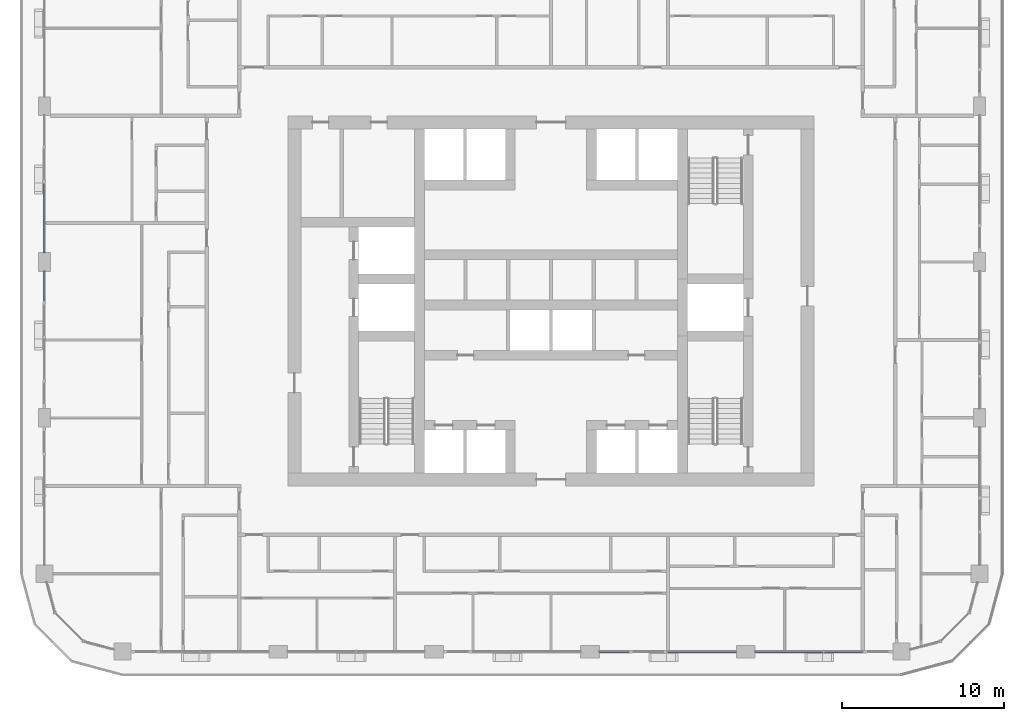
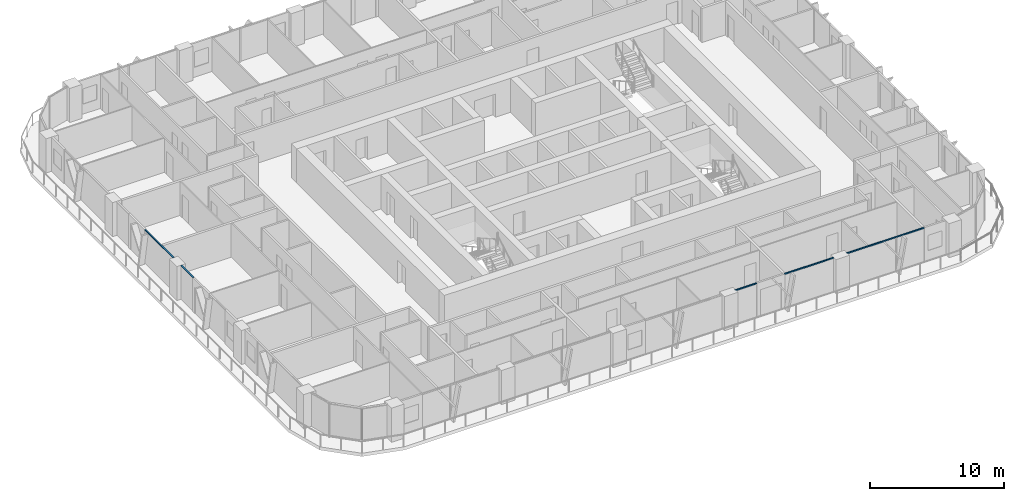
# One storey, part 3 of 22: 5 members, 4 elements without a shape of their own.
"""IFC4 building model written with IfcOpenShell, lengths in metres."""

from ifc_helpers import new_model, si_unit, direction, frame, origin, origin_2d, place, context, subcontext, project, spatial, rectangle, extrude, material, layer, layer_set, material_profile, profile_set, type_object, element, aggregate, save


model = new_model("IFC4")

# Units and contexts
model_context = context("Model", 3, precision=1e-05, world=origin(), true_north=direction((0.0, 1.0)))
body_context = subcontext(model_context, "Body", "Model", "MODEL_VIEW")
ifc_project = project(units=[si_unit("LENGTHUNIT", "METRE"), si_unit("AREAUNIT", "SQUARE_METRE"), si_unit("VOLUMEUNIT", "CUBIC_METRE"), si_unit("PLANEANGLEUNIT", "RADIAN"), si_unit("MASSUNIT", "GRAM", prefix="KILO")], contexts=[model_context])

# Site, building, storey
site_placement = place(None, origin())
site = spatial("IfcSite", under=ifc_project, at=site_placement, CompositionType="ELEMENT")
building_placement = place(site_placement, origin())
building = spatial("IfcBuilding", under=site, at=building_placement, Name="Madar Terraces", CompositionType="ELEMENT")
storey_placement = place(building_placement, frame((0.0, 0.0, 140.10009765625)))
storey = spatial("IfcBuildingStorey", under=building, at=storey_placement, Name="L36", CompositionType="ELEMENT", Elevation=140.10009765625)

# Curtain wall, members
ifc_material_1 = material(Name="Glass, ceramic frit dark grey, with black aluminium frame", Category="aluminium")
ifc_layer = layer(ifc_material_1, 0.199951171875)
ifc_layer_set = layer_set([ifc_layer], Name="Facade curtain wall, fritted glass")
curtain_wall_type = type_object("IfcCurtainWallType", Name="Facade curtain wall, fritted glass", PredefinedType="NOTDEFINED", material=ifc_layer_set)
curtain_wall_1_placement = place(storey_placement, origin())
curtain_wall_1 = element("IfcCurtainWall", 1, at=curtain_wall_1_placement, inside=storey, type_object=curtain_wall_type, Name="Outer skin curtain wall south bay 4", PredefinedType="NOTDEFINED")
ifc_material_2 = material(Name="Aluminium, black anodised", Category="aluminium")
ifc_material_profile = material_profile(ifc_material_2, rectangle(XDim=0.1201171875, YDim=0.06005859375, at=origin_2d()), Name="Facade transom 60x120")
ifc_profile_set = profile_set([ifc_material_profile], Name="Aluminium, black anodised")
member_type = type_object("IfcMemberType", Name="Facade transom 60x120", PredefinedType="USERDEFINED", material=ifc_profile_set)
member_1_placement = place(storey_placement, frame((34.175048828125, 4.800048828125, 3.06982421875), z_axis=(1.0, 0.0, 0.0), x_axis=(0.0, 1.0, 0.0)))
member_1 = element("IfcMember", 2, at=member_1_placement, type_object=member_type, Name="Transom 1", ObjectType="TRANSOM", PredefinedType="USERDEFINED", context=body_context, shape_type="SweptSolid", body=[
    extrude(rectangle(XDim=0.1201171875, YDim=0.06005859375, at=origin_2d()), origin(), (0.0, 0.0, 1.0), 1.824951171875),
])
member_2_placement = place(storey_placement, frame((38.39990234375, 4.800048828125, 3.06982421875), z_axis=(1.0, 0.0, 0.0), x_axis=(0.0, 1.0, 0.0)))
member_2 = element("IfcMember", 3, at=member_2_placement, type_object=member_type, Name="Transom 2", ObjectType="TRANSOM", PredefinedType="USERDEFINED", context=body_context, shape_type="SweptSolid", body=[
    extrude(rectangle(XDim=0.1201171875, YDim=0.06005859375, at=origin_2d()), origin(), (0.0, 0.0, 1.0), 4.22509765625),
])
aggregate(curtain_wall_1, [member_1, member_2])

# Curtain wall, member
curtain_wall_2_placement = place(storey_placement, origin())
curtain_wall_2 = element("IfcCurtainWall", 4, at=curtain_wall_2_placement, inside=storey, type_object=curtain_wall_type, Name="Outer skin curtain wall south bay 5", PredefinedType="NOTDEFINED")
member_3_placement = place(storey_placement, frame((43.77490234375, 4.800048828125, 3.06982421875), z_axis=(1.0, 0.0, 0.0), x_axis=(0.0, 1.0, 0.0)))
member_3 = element("IfcMember", 5, at=member_3_placement, type_object=member_type, Name="Transom 1", ObjectType="TRANSOM", PredefinedType="USERDEFINED", context=body_context, shape_type="SweptSolid", body=[
    extrude(rectangle(XDim=0.1201171875, YDim=0.06005859375, at=origin_2d()), origin(), (0.0, 0.0, 1.0), 6.625),
])
aggregate(curtain_wall_2, [member_3])

curtain_wall_3_placement = place(storey_placement, origin())
curtain_wall_3 = element("IfcCurtainWall", 6, at=curtain_wall_3_placement, inside=storey, type_object=curtain_wall_type, Name="Outer skin curtain wall west bay 2", PredefinedType="NOTDEFINED")
member_4_placement = place(storey_placement, frame((0.0, 33.60009765625, 3.06982421875), z_axis=(0.0, -1.0, 0.0), x_axis=(1.0, 0.0, 0.0)))
member_4 = element("IfcMember", 7, at=member_4_placement, type_object=member_type, Name="Transom 2", ObjectType="TRANSOM", PredefinedType="USERDEFINED", context=body_context, shape_type="SweptSolid", body=[
    extrude(rectangle(XDim=0.1201171875, YDim=0.06005859375, at=origin_2d()), origin(), (0.0, 0.0, 1.0), 4.22509765625),
])
aggregate(curtain_wall_3, [member_4])

curtain_wall_4_placement = place(storey_placement, origin())
curtain_wall_4 = element("IfcCurtainWall", 8, at=curtain_wall_4_placement, inside=storey, type_object=curtain_wall_type, Name="Outer skin curtain wall west bay 3", PredefinedType="NOTDEFINED")
member_5_placement = place(storey_placement, frame((0.0, 28.22509765625, 3.06982421875), z_axis=(0.0, -1.0, 0.0), x_axis=(1.0, 0.0, 0.0)))
member_5 = element("IfcMember", 9, at=member_5_placement, type_object=member_type, Name="Transom 1", ObjectType="TRANSOM", PredefinedType="USERDEFINED", context=body_context, shape_type="SweptSolid", body=[
    extrude(rectangle(XDim=0.1201171875, YDim=0.06005859375, at=origin_2d()), origin(), (0.0, 0.0, 1.0), 1.8251953125),
])
aggregate(curtain_wall_4, [member_5])

save(model, "model.ifc")
